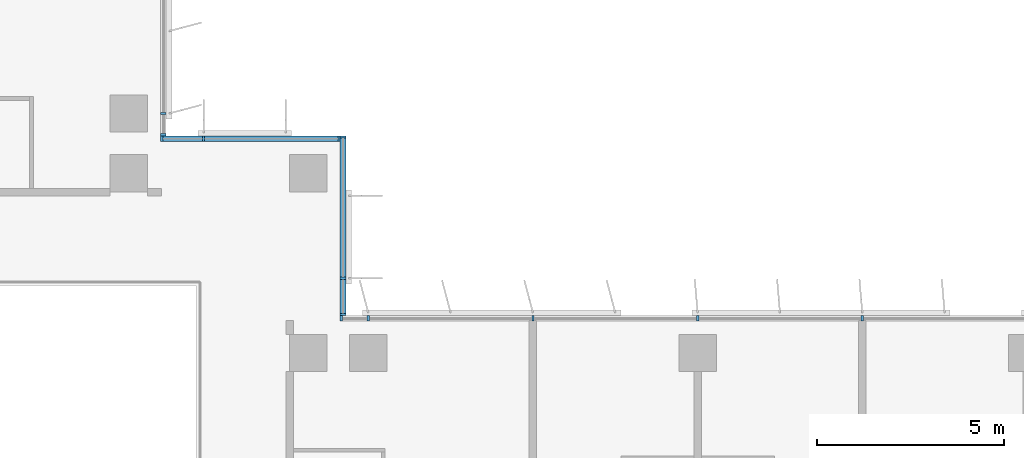
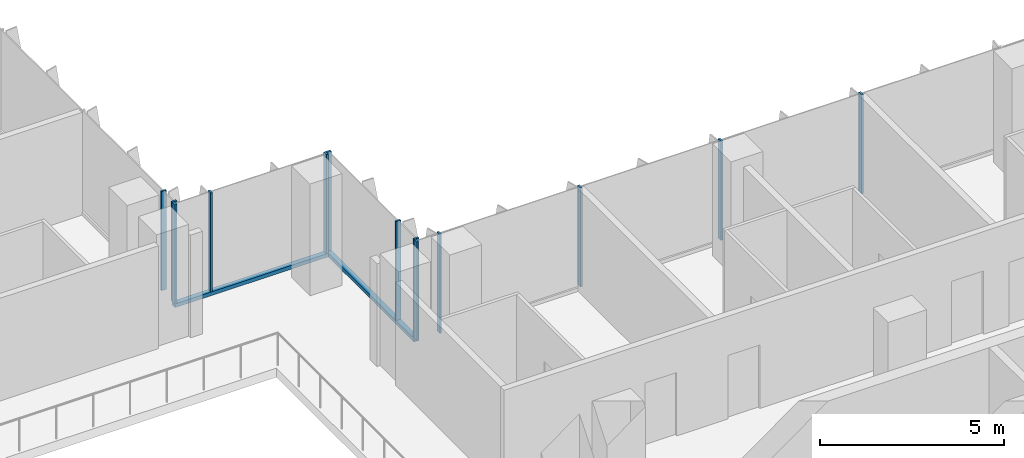
# One storey, part 2 of 21: 15 members, 4 elements without a shape of their own.
"""IFC4 building model written with IfcOpenShell, lengths in metres."""

from ifc_helpers import new_model, si_unit, direction, frame, origin, origin_2d, place, context, subcontext, project, spatial, rectangle, extrude, source, transform, mapped, material, material_profile, profile_set, type_object, element, aggregate, save


model = new_model("IFC4")

# Units and contexts
model_context = context("Model", 3, precision=1e-05, world=origin(), true_north=direction((0.0, 1.0)))
body_context = subcontext(model_context, "Body", "Model", "MODEL_VIEW")
ifc_project = project(units=[si_unit("LENGTHUNIT", "METRE"), si_unit("AREAUNIT", "SQUARE_METRE"), si_unit("VOLUMEUNIT", "CUBIC_METRE"), si_unit("PLANEANGLEUNIT", "RADIAN"), si_unit("MASSUNIT", "GRAM", prefix="KILO")], contexts=[model_context])

# Site, building, storey
site_placement = place(None, origin())
site = spatial("IfcSite", under=ifc_project, at=site_placement, CompositionType="ELEMENT")
building_placement = place(site_placement, origin())
building = spatial("IfcBuilding", under=site, at=building_placement, Name="Kemantara Hotel Tower", CompositionType="ELEMENT")
storey_placement = place(building_placement, frame((0.0, 0.0, 171.60009765625)))
storey = spatial("IfcBuildingStorey", under=building, at=storey_placement, Name="L42", CompositionType="ELEMENT", Elevation=171.60009765625)

# Curtain wall, member
ifc_material_1 = material(Name="Low-E tinted double insulated glass 36 mm", Category="glass")
curtain_wall_type = type_object("IfcCurtainWallType", Name="TOWER CURTAIN WALL, FRONT FACES", PredefinedType="USERDEFINED", material=ifc_material_1)
curtain_wall_1_placement = place(storey_placement, origin())
curtain_wall_1 = element("IfcCurtainWall", 1, at=curtain_wall_1_placement, inside=storey, type_object=curtain_wall_type, Name="CW4 L42 T3-R15-1", ObjectType="TOWER CURTAIN WALL, FRONT FACES", PredefinedType="USERDEFINED")
ifc_material_2 = material(Name="Aluminium 6063-T6 bronze anodised", Category="aluminium")
ifc_material_profile_1 = material_profile(ifc_material_2, rectangle(XDim=0.14990234375, YDim=0.1201171875, at=origin_2d()), Name="TOWER CURTAIN WALL, FRONT FACES TRANSOM")
ifc_profile_set_1 = profile_set([ifc_material_profile_1], Name="Aluminium 6063-T6 bronze anodised")
member_type_1 = type_object("IfcMemberType", Name="TOWER CURTAIN WALL, FRONT FACES TRANSOM", PredefinedType="USERDEFINED", material=ifc_profile_set_1)
member_1_placement = place(storey_placement, frame((26.72509765625, 22.0, 0.059814453125), z_axis=(0.0, 1.0, 0.0), x_axis=(-1.0, 0.0, 0.0)))
member_1 = element("IfcMember", 2, at=member_1_placement, type_object=member_type_1, Name="CW4 sill transom T3-R15-1", ObjectType="TRANSOM", PredefinedType="USERDEFINED", context=body_context, shape_type="SweptSolid", body=[
    extrude(rectangle(XDim=0.14990234375, YDim=0.1201171875, at=origin_2d()), origin(), (0.0, 0.0, 1.0), 4.800048828125),
])

curtain_wall_2_placement = place(storey_placement, origin())
curtain_wall_2 = element("IfcCurtainWall", 3, at=curtain_wall_2_placement, inside=storey, type_object=curtain_wall_type, Name="CW4 L42 T3-R16-1", ObjectType="TOWER CURTAIN WALL, FRONT FACES", PredefinedType="USERDEFINED")
member_2_placement = place(storey_placement, frame((26.64990234375, 26.72509765625, 0.059814453125), z_axis=(-1.0, 0.0, 0.0), x_axis=(0.0, -1.0, 0.0)))
member_2 = element("IfcMember", 4, at=member_2_placement, type_object=member_type_1, Name="CW4 sill transom T3-R16-1", ObjectType="TRANSOM", PredefinedType="USERDEFINED", context=body_context, shape_type="SweptSolid", body=[
    extrude(rectangle(XDim=0.14990234375, YDim=0.1201171875, at=origin_2d()), origin(), (0.0, 0.0, 1.0), 4.7998046875),
])

# Curtain wall, members
curtain_wall_3_placement = place(storey_placement, origin())
curtain_wall_3 = element("IfcCurtainWall", 5, at=curtain_wall_3_placement, inside=storey, type_object=curtain_wall_type, Name="CW4 L42 T3-R14-1", ObjectType="TOWER CURTAIN WALL, FRONT FACES", PredefinedType="USERDEFINED")
ifc_material_profile_2 = material_profile(ifc_material_2, rectangle(XDim=0.14990234375, YDim=0.06005859375, at=origin_2d()), Name="TOWER CURTAIN WALL, FRONT FACES MULLION")
ifc_profile_set_2 = profile_set([ifc_material_profile_2], Name="Aluminium 6063-T6 bronze anodised")
member_type_2 = type_object("IfcMemberType", Name="TOWER CURTAIN WALL, FRONT FACES MULLION", PredefinedType="MULLION", material=ifc_profile_set_2)
shared_shape = source(origin(), body_context, "Body", "SweptSolid", [
    extrude(rectangle(XDim=0.14990234375, YDim=0.06005859375, at=origin_2d()), origin(), (0.0, 0.0, 1.0), 3.280029296875),
])
member_3_placement = place(storey_placement, frame((40.60009765625, 21.925048828125, 0.119873046875), z_axis=(0.0, 0.0, 1.0), x_axis=(0.0, -1.0, 0.0)))
member_3 = element("IfcMember", 6, at=member_3_placement, type_object=member_type_2, Name="CW4 mullion T3-R14-1.6", PredefinedType="MULLION", context=body_context, shape_type="MappedRepresentation", body=[
    mapped(shared_shape, transform((0.0, 0.0, 0.0))),
])
member_4_placement = place(storey_placement, frame((36.199951171875, 21.925048828125, 0.119873046875), z_axis=(0.0, 0.0, 1.0), x_axis=(0.0, -1.0, 0.0)))
member_4 = element("IfcMember", 7, at=member_4_placement, type_object=member_type_2, Name="CW4 mullion T3-R14-1.7", PredefinedType="MULLION", context=body_context, shape_type="MappedRepresentation", body=[
    mapped(shared_shape, transform((0.0, 0.0, 0.0))),
])
member_5_placement = place(storey_placement, frame((31.800048828125, 21.925048828125, 0.119873046875), z_axis=(0.0, 0.0, 1.0), x_axis=(0.0, -1.0, 0.0)))
member_5 = element("IfcMember", 8, at=member_5_placement, type_object=member_type_2, Name="CW4 mullion T3-R14-1.8", PredefinedType="MULLION", context=body_context, shape_type="MappedRepresentation", body=[
    mapped(shared_shape, transform((0.0, 0.0, 0.0))),
])
member_6_placement = place(storey_placement, frame((27.39990234375, 21.925048828125, 0.119873046875), z_axis=(0.0, 0.0, 1.0), x_axis=(0.0, -1.0, 0.0)))
member_6 = element("IfcMember", 9, at=member_6_placement, type_object=member_type_2, Name="CW4 mullion T3-R14-1.9", PredefinedType="MULLION", context=body_context, shape_type="MappedRepresentation", body=[
    mapped(shared_shape, transform((0.0, 0.0, 0.0))),
])
member_7_placement = place(storey_placement, frame((26.679931640625, 21.925048828125, 0.119873046875), z_axis=(0.0, 0.0, 1.0), x_axis=(0.0, -1.0, 0.0)))
member_7 = element("IfcMember", 10, at=member_7_placement, type_object=member_type_2, Name="CW4 mullion T3-R14-1.10", PredefinedType="MULLION", context=body_context, shape_type="MappedRepresentation", body=[
    mapped(shared_shape, transform((0.0, 0.0, 0.0))),
])
aggregate(curtain_wall_3, [member_3, member_4, member_5, member_6, member_7])

# Member
member_8_placement = place(storey_placement, frame((26.72509765625, 22.030029296875, 0.119873046875), z_axis=(0.0, 0.0, 1.0), x_axis=(-1.0, 0.0, 0.0)))
member_8 = element("IfcMember", 11, at=member_8_placement, type_object=member_type_2, Name="CW4 mullion T3-R15-1.1", PredefinedType="MULLION", context=body_context, shape_type="MappedRepresentation", body=[
    mapped(shared_shape, transform((0.0, 0.0, 0.0))),
])

member_9_placement = place(storey_placement, frame((26.72509765625, 23.0, 0.119873046875), z_axis=(0.0, 0.0, 1.0), x_axis=(-1.0, 0.0, 0.0)))
member_9 = element("IfcMember", 12, at=member_9_placement, type_object=member_type_2, Name="CW4 mullion T3-R15-1.2", PredefinedType="MULLION", context=body_context, shape_type="MappedRepresentation", body=[
    mapped(shared_shape, transform((0.0, 0.0, 0.0))),
])

member_10_placement = place(storey_placement, frame((26.72509765625, 26.77001953125, 0.119873046875), z_axis=(0.0, 0.0, 1.0), x_axis=(-1.0, 0.0, 0.0)))
member_10 = element("IfcMember", 13, at=member_10_placement, type_object=member_type_2, Name="CW4 mullion T3-R15-1.3", PredefinedType="MULLION", context=body_context, shape_type="MappedRepresentation", body=[
    mapped(shared_shape, transform((0.0, 0.0, 0.0))),
])

aggregate(curtain_wall_1, [member_1, member_8, member_9, member_10])

member_11_placement = place(storey_placement, frame((26.6201171875, 26.72509765625, 0.119873046875), z_axis=(0.0, 0.0, 1.0), x_axis=(0.0, -1.0, 0.0)))
member_11 = element("IfcMember", 14, at=member_11_placement, type_object=member_type_2, Name="CW4 mullion T3-R16-1.1", PredefinedType="MULLION", context=body_context, shape_type="MappedRepresentation", body=[
    mapped(shared_shape, transform((0.0, 0.0, 0.0))),
])

member_12_placement = place(storey_placement, frame((23.0, 26.72509765625, 0.119873046875), z_axis=(0.0, 0.0, 1.0), x_axis=(0.0, -1.0, 0.0)))
member_12 = element("IfcMember", 15, at=member_12_placement, type_object=member_type_2, Name="CW4 mullion T3-R16-1.2", PredefinedType="MULLION", context=body_context, shape_type="MappedRepresentation", body=[
    mapped(shared_shape, transform((0.0, 0.0, 0.0))),
])

member_13_placement = place(storey_placement, frame((21.8798828125, 26.72509765625, 0.119873046875), z_axis=(0.0, 0.0, 1.0), x_axis=(0.0, -1.0, 0.0)))
member_13 = element("IfcMember", 16, at=member_13_placement, type_object=member_type_2, Name="CW4 mullion T3-R16-1.3", PredefinedType="MULLION", context=body_context, shape_type="MappedRepresentation", body=[
    mapped(shared_shape, transform((0.0, 0.0, 0.0))),
])

aggregate(curtain_wall_2, [member_2, member_11, member_12, member_13])

# Curtain wall, members
curtain_wall_4_placement = place(storey_placement, origin())
curtain_wall_4 = element("IfcCurtainWall", 17, at=curtain_wall_4_placement, inside=storey, type_object=curtain_wall_type, Name="CW4 L42 T3-R17-1", ObjectType="TOWER CURTAIN WALL, FRONT FACES", PredefinedType="USERDEFINED")
member_14_placement = place(storey_placement, frame((21.925048828125, 26.830078125, 0.119873046875), z_axis=(0.0, 0.0, 1.0), x_axis=(-1.0, 0.0, 0.0)))
member_14 = element("IfcMember", 18, at=member_14_placement, type_object=member_type_2, Name="CW4 mullion T3-R17-1.1", PredefinedType="MULLION", context=body_context, shape_type="MappedRepresentation", body=[
    mapped(shared_shape, transform((0.0, 0.0, 0.0))),
])
member_15_placement = place(storey_placement, frame((21.925048828125, 27.39990234375, 0.119873046875), z_axis=(0.0, 0.0, 1.0), x_axis=(-1.0, 0.0, 0.0)))
member_15 = element("IfcMember", 19, at=member_15_placement, type_object=member_type_2, Name="CW4 mullion T3-R17-1.2", PredefinedType="MULLION", context=body_context, shape_type="MappedRepresentation", body=[
    mapped(shared_shape, transform((0.0, 0.0, 0.0))),
])
aggregate(curtain_wall_4, [member_14, member_15])

save(model, "model.ifc")
